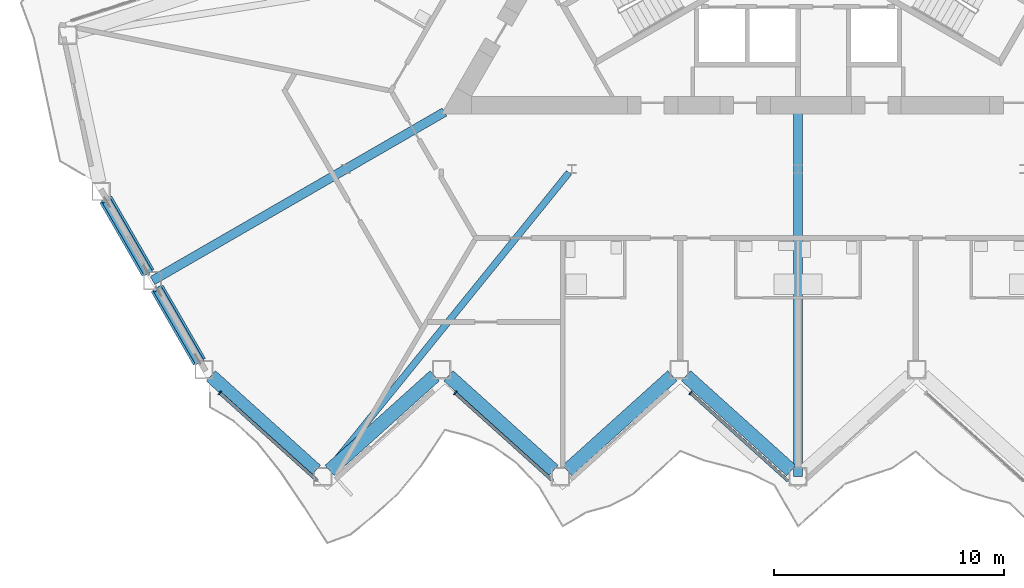
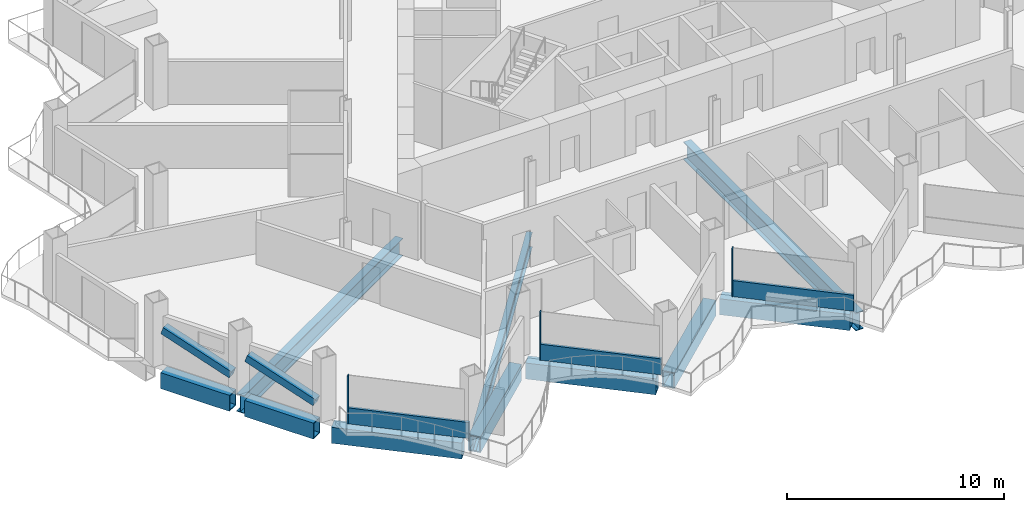
# One storey, part 3 of 23: 10 members, 8 beams, 3 elements without a shape of their own.
"""IFC4 building model written with IfcOpenShell, lengths in metres."""

from ifc_helpers import new_model, si_unit, direction, frame, origin, origin_2d, place, context, subcontext, project, spatial, rectangle, hollow_rectangle, i_section, extrude, material, layer, layer_set, material_profile, profile_set, type_object, element, aggregate, save


model = new_model("IFC4")

# Units and contexts
model_context = context("Model", 3, precision=1e-05, world=origin(), true_north=direction((0.0, 1.0)))
body_context = subcontext(model_context, "Body", "Model", "MODEL_VIEW")
ifc_project = project(units=[si_unit("LENGTHUNIT", "METRE"), si_unit("AREAUNIT", "SQUARE_METRE"), si_unit("VOLUMEUNIT", "CUBIC_METRE"), si_unit("PLANEANGLEUNIT", "RADIAN"), si_unit("MASSUNIT", "GRAM", prefix="KILO")], contexts=[model_context])

# Site, building, storey
site_placement = place(None, origin())
site = spatial("IfcSite", under=ifc_project, at=site_placement, CompositionType="ELEMENT")
building_placement = place(site_placement, origin())
building = spatial("IfcBuilding", under=site, at=building_placement, Name="Cormorant Prow Tower", CompositionType="ELEMENT")
storey_placement = place(building_placement, frame((0.0, 0.0, 169.199951171875)))
storey = spatial("IfcBuildingStorey", under=building, at=storey_placement, Name="L35", CompositionType="ELEMENT", Elevation=169.199951171875)

# Beams
ifc_material_1 = material(Name="Structural steel ASTM A572 Gr 50", Category="steel")
ifc_material_profile_1 = material_profile(ifc_material_1, hollow_rectangle(XDim=0.60009765625, YDim=0.89990234375, WallThickness=0.06005859375, at=origin_2d()), Name="Box 900x600x60")
ifc_profile_set_1 = profile_set([ifc_material_profile_1], Name="Structural steel ASTM A572 Gr 50")
beam_type_1 = type_object("IfcBeamType", Name="Belt truss top chord 900x600x60", PredefinedType="BEAM", material=ifc_profile_set_1)
beam_1_placement = place(storey_placement, frame((-25.5263671875, -20.3388671875, -0.800048828125), z_axis=(0.743155953285, -0.669118247469, 0.0), x_axis=(0.669118247469, 0.743155953285, 0.0)))
element("IfcBeam", 1, at=beam_1_placement, inside=storey, type_object=beam_type_1, Name="Belt truss top chord TC2 S00-S01 L35", PredefinedType="BEAM", context=body_context, shape_type="SweptSolid", body=[
    extrude(hollow_rectangle(XDim=0.60009765625, YDim=0.89990234375, WallThickness=0.06005859375, at=origin_2d()), origin(), (0.0, 0.0, 1.0), 6.14990234375),
])
for number, where, z_axis, x_axis, name in (
    (2, (-20.361572265625, -24.453857421875, -0.800048828125), (0.743138178716, 0.669137988261, 0.0), (-0.669137988261, 0.743138178716, 0.0), "Belt truss top chord TC2 S01-S02 L35"),
    (3, (-15.19677734375, -20.3388671875, -0.800048828125), (0.743138178716, -0.669137988261, 0.0), (0.669137988261, 0.743138178716, 0.0), "Belt truss top chord TC2 S02-S03 L35"),
):
    element("IfcBeam", number, at=place(storey_placement, frame(where, z_axis=z_axis, x_axis=x_axis)), inside=storey, type_object=beam_type_1, Name=name, PredefinedType="BEAM", context=body_context, shape_type="SweptSolid", body=[
        extrude(hollow_rectangle(XDim=0.60009765625, YDim=0.89990234375, WallThickness=0.06005859375, at=origin_2d()), origin(), (0.0, 0.0, 1.0), 6.149658203125),
    ])
beam_2_placement = place(storey_placement, frame((-10.0322265625, -24.453857421875, -0.800048828125), z_axis=(0.743155953285, 0.669118247469, 0.0), x_axis=(-0.669118247469, 0.743155953285, 0.0)))
element("IfcBeam", 4, at=beam_2_placement, inside=storey, type_object=beam_type_1, Name="Belt truss top chord TC2 S03-S04 L35", PredefinedType="BEAM", context=body_context, shape_type="SweptSolid", body=[
    extrude(hollow_rectangle(XDim=0.60009765625, YDim=0.89990234375, WallThickness=0.06005859375, at=origin_2d()), origin(), (0.0, 0.0, 1.0), 6.14990234375),
])
beam_3_placement = place(storey_placement, frame((-4.867431640625, -20.3388671875, -0.800048828125), z_axis=(0.743138178716, -0.669137988261, 0.0), x_axis=(0.669137988261, 0.743138178716, 0.0)))
element("IfcBeam", 5, at=beam_3_placement, inside=storey, type_object=beam_type_1, Name="Belt truss top chord TC2 S04-S05 L35", PredefinedType="BEAM", context=body_context, shape_type="SweptSolid", body=[
    extrude(hollow_rectangle(XDim=0.60009765625, YDim=0.89990234375, WallThickness=0.06005859375, at=origin_2d()), origin(), (0.0, 0.0, 1.0), 6.149658203125),
])
for number, where, z_axis, x_axis, name in (
    (6, (-30.093994140625, -12.674560546875, -0.800048828125), (0.499994986164, -0.866028298505, 0.0), (0.866028298505, 0.499994986164, 0.0), "Belt truss top chord TC2 WSW00-WSW01 L35"),
    (7, (-27.85888671875, -16.546142578125, -0.800048828125), (0.499994986164, -0.866028298505, 0.0), (0.866028298505, 0.499994986164, 0.0), "Belt truss top chord TC2 WSW01-S00 L35"),
):
    element("IfcBeam", number, at=place(storey_placement, frame(where, z_axis=z_axis, x_axis=x_axis)), inside=storey, type_object=beam_type_1, Name=name, PredefinedType="BEAM", context=body_context, shape_type="SweptSolid", body=[
        extrude(hollow_rectangle(XDim=0.60009765625, YDim=0.89990234375, WallThickness=0.06005859375, at=origin_2d()), origin(), (0.0, 0.0, 1.0), 3.67041015625),
    ])

# Members
ifc_material_2 = material(Name="Structural steel ASTM A500 Gr C", Category="steel")
ifc_material_profile_2 = material_profile(ifc_material_2, hollow_rectangle(XDim=0.406494140625, YDim=0.406494140625, WallThickness=0.01171875, at=origin_2d()), Name="HSS16x16x1/2")
ifc_profile_set_2 = profile_set([ifc_material_profile_2], Name="Structural steel ASTM A500 Gr C")
member_type_1 = type_object("IfcMemberType", Name="Chamfer brace HSS16x16x1/2", PredefinedType="BRACE", material=ifc_profile_set_2)
member_1_placement = place(storey_placement, frame((-28.267333984375, -15.838623046875, 0.739990234375), z_axis=(-0.473983276796, 0.820989698857, 0.31830137871), x_axis=(-0.866032413668, -0.499987858329, 0.0)))
element("IfcMember", 8, at=member_1_placement, inside=storey, type_object=member_type_1, Name="Chamfer brace BR2 at WSW00 L35", PredefinedType="BRACE", context=body_context, shape_type="SweptSolid", body=[
    extrude(hollow_rectangle(XDim=0.406494140625, YDim=0.406494140625, WallThickness=0.01171875, at=origin_2d()), origin(), (0.0, 0.0, 1.0), 3.8359375),
])
member_2_placement = place(storey_placement, frame((-26.0322265625, -19.7099609375, 0.739990234375), z_axis=(-0.47400804529, 0.820968949664, 0.318318011883), x_axis=(-0.866015628144, -0.500016931523, 0.0)))
element("IfcMember", 9, at=member_2_placement, inside=storey, type_object=member_type_1, Name="Chamfer brace BR2 at WSW01 L35", PredefinedType="BRACE", context=body_context, shape_type="SweptSolid", body=[
    extrude(hollow_rectangle(XDim=0.406494140625, YDim=0.406494140625, WallThickness=0.01171875, at=origin_2d()), origin(), (0.0, 0.0, 1.0), 3.835693359375),
])

# Curtain wall, member
ifc_material_3 = material(Name="Aluminium 6063-T6", Category="aluminium")
ifc_layer = layer(ifc_material_3, 0.179931640625)
ifc_layer_set = layer_set([ifc_layer], Name="Aluminium 6063-T6")
curtain_wall_type = type_object("IfcCurtainWallType", Name="Hotel unitised curtain wall 180", PredefinedType="NOTDEFINED", material=ifc_layer_set)
curtain_wall_1_placement = place(storey_placement, origin())
curtain_wall_1 = element("IfcCurtainWall", 10, at=curtain_wall_1_placement, inside=storey, type_object=curtain_wall_type, Name="Hotel curtain wall S00", PredefinedType="NOTDEFINED")
ifc_material_4 = material(Name="Aluminium 6063-T6", Category="aluminium")
ifc_material_profile_3 = material_profile(ifc_material_4, rectangle(XDim=0.179931640625, YDim=0.06005859375, at=origin_2d()), Name="Hotel mullion 60x180")
ifc_profile_set_3 = profile_set([ifc_material_profile_3], Name="Aluminium 6063-T6")
member_type_2 = type_object("IfcMemberType", Name="Hotel mullion 60x180", PredefinedType="MULLION", material=ifc_profile_set_3)
member_3_placement = place(storey_placement, frame((-25.134033203125, -21.08447265625, 0.0), z_axis=(0.0, 0.0, 1.0), x_axis=(0.669130488316, 0.743144931764, 0.0)))
member_3 = element("IfcMember", 11, at=member_3_placement, type_object=member_type_2, Name="Hotel mullion S00", PredefinedType="MULLION", context=body_context, shape_type="SweptSolid", body=[
    extrude(rectangle(XDim=0.179931640625, YDim=0.06005859375, at=origin_2d()), origin(), (0.0, 0.0, 1.0), 2.700927734375),
])

curtain_wall_2_placement = place(storey_placement, origin())
curtain_wall_2 = element("IfcCurtainWall", 12, at=curtain_wall_2_placement, inside=storey, type_object=curtain_wall_type, Name="Hotel curtain wall S02", PredefinedType="NOTDEFINED")
member_4_placement = place(storey_placement, frame((-14.90283203125, -21.08447265625, 0.0), z_axis=(0.0, 0.0, 1.0), x_axis=(0.669130560548, 0.743144866726, 0.0)))
member_4 = element("IfcMember", 13, at=member_4_placement, type_object=member_type_2, Name="Hotel mullion S02", PredefinedType="MULLION", context=body_context, shape_type="SweptSolid", body=[
    extrude(rectangle(XDim=0.179931640625, YDim=0.06005859375, at=origin_2d()), origin(), (0.0, 0.0, 1.0), 2.700927734375),
])

curtain_wall_3_placement = place(storey_placement, origin())
curtain_wall_3 = element("IfcCurtainWall", 14, at=curtain_wall_3_placement, inside=storey, type_object=curtain_wall_type, Name="Hotel curtain wall S04", PredefinedType="NOTDEFINED")
member_5_placement = place(storey_placement, frame((-4.67138671875, -21.08447265625, 0.0), z_axis=(0.0, 0.0, 1.0), x_axis=(0.669130560548, 0.743144866726, 0.0)))
member_5 = element("IfcMember", 15, at=member_5_placement, type_object=member_type_2, Name="Hotel mullion S04", PredefinedType="MULLION", context=body_context, shape_type="SweptSolid", body=[
    extrude(rectangle(XDim=0.179931640625, YDim=0.06005859375, at=origin_2d()), origin(), (0.0, 0.0, 1.0), 2.700927734375),
])

# Member
ifc_material_5 = material(Name="Terracotta", Category="masonry")
ifc_material_profile_4 = material_profile(ifc_material_5, rectangle(XDim=0.139892578125, YDim=0.89990234375, at=origin_2d()), Name="Hotel terracotta spandrel rail 140x900")
ifc_profile_set_4 = profile_set([ifc_material_profile_4], Name="Terracotta")
member_type_3 = type_object("IfcMemberType", Name="Hotel terracotta spandrel rail 140x900", PredefinedType="USERDEFINED", material=ifc_profile_set_4)
member_6_placement = place(storey_placement, frame((-25.11181640625, -21.1044921875, 0.449951171875), z_axis=(0.743138320107, -0.669137831234, 0.0), x_axis=(0.669137831234, 0.743138320107, 0.0)))
member_6 = element("IfcMember", 16, at=member_6_placement, type_object=member_type_3, Name="Hotel spandrel rail S00", ObjectType="TRANSOM", PredefinedType="USERDEFINED", context=body_context, shape_type="SweptSolid", body=[
    extrude(rectangle(XDim=0.139892578125, YDim=0.89990234375, at=origin_2d()), origin(), (0.0, 0.0, 1.0), 5.687744140625),
])

aggregate(curtain_wall_1, [member_3, member_6])

member_7_placement = place(storey_placement, frame((-14.88037109375, -21.1044921875, 0.449951171875), z_axis=(0.743138320107, -0.669137831234, 0.0), x_axis=(0.669137831234, 0.743138320107, 0.0)))
member_7 = element("IfcMember", 17, at=member_7_placement, type_object=member_type_3, Name="Hotel spandrel rail S02", ObjectType="TRANSOM", PredefinedType="USERDEFINED", context=body_context, shape_type="SweptSolid", body=[
    extrude(rectangle(XDim=0.139892578125, YDim=0.89990234375, at=origin_2d()), origin(), (0.0, 0.0, 1.0), 5.687744140625),
])

aggregate(curtain_wall_2, [member_4, member_7])

member_8_placement = place(storey_placement, frame((-4.64892578125, -21.1044921875, 0.449951171875), z_axis=(0.743138320107, -0.669137831234, 0.0), x_axis=(0.669137831234, 0.743138320107, 0.0)))
member_8 = element("IfcMember", 18, at=member_8_placement, type_object=member_type_3, Name="Hotel spandrel rail S04", ObjectType="TRANSOM", PredefinedType="USERDEFINED", context=body_context, shape_type="SweptSolid", body=[
    extrude(rectangle(XDim=0.139892578125, YDim=0.89990234375, at=origin_2d()), origin(), (0.0, 0.0, 1.0), 5.687744140625),
])

aggregate(curtain_wall_3, [member_5, member_8])

# Members
ifc_material_6 = material(Name="Structural steel ASTM A992 Gr 50", Category="steel")
ifc_material_profile_5 = material_profile(ifc_material_6, i_section(OverallWidth=0.39990234375, OverallDepth=1.000244140625, WebThickness=0.01904296875, FlangeThickness=0.0361328125, at=origin_2d()), Name="W40x249")
ifc_profile_set_5 = profile_set([ifc_material_profile_5], Name="Structural steel ASTM A992 Gr 50")
member_type_4 = type_object("IfcMemberType", Name="Outrigger chord W40x249", PredefinedType="CHORD", material=ifc_profile_set_5)
member_9_placement = place(storey_placement, frame((-15.3701171875, -8.873779296875, -0.85009765625), z_axis=(-0.866022701949, -0.500004679687, 0.0), x_axis=(0.500004679687, -0.866022701949, 0.0)))
element("IfcMember", 19, at=member_9_placement, inside=storey, type_object=member_type_4, Name="Outrigger top chord 3 L35", PredefinedType="CHORD", context=body_context, shape_type="SweptSolid", body=[
    extrude(i_section(OverallWidth=0.39990234375, OverallDepth=1.000244140625, WebThickness=0.01904296875, FlangeThickness=0.0361328125, at=origin_2d()), origin(), (0.0, 0.0, 1.0), 14.651611328125),
])
member_10_placement = place(storey_placement, frame((0.0, -8.798828125, -0.85009765625), z_axis=(0.0, -1.0, 0.0), x_axis=(1.0, 0.0, 0.0)))
element("IfcMember", 20, at=member_10_placement, inside=storey, type_object=member_type_4, Name="Outrigger top chord 4 L35", PredefinedType="CHORD", context=body_context, shape_type="SweptSolid", body=[
    extrude(i_section(OverallWidth=0.39990234375, OverallDepth=1.000244140625, WebThickness=0.01904296875, FlangeThickness=0.0361328125, at=origin_2d()), origin(), (0.0, 0.0, 1.0), 15.9228515625),
])

# Beam
ifc_material_7 = material(Name="Structural steel ASTM A992 Gr 50", Category="steel")
ifc_material_profile_6 = material_profile(ifc_material_7, i_section(OverallWidth=0.29296875, OverallDepth=0.845703125, WebThickness=0.015380859375, FlangeThickness=0.0244140625, at=origin_2d()), Name="W33x141")
ifc_profile_set_6 = profile_set([ifc_material_profile_6], Name="Structural steel ASTM A992 Gr 50")
beam_type_2 = type_object("IfcBeamType", Name="Radial floor beam W33x141", PredefinedType="BEAM", material=ifc_profile_set_6)
beam_4_placement = place(storey_placement, frame((-9.95654296875, -11.50732421875, -0.77294921875), z_axis=(-0.629385162657, -0.777093505974, 0.0), x_axis=(0.777093505974, -0.629385162657, 0.0)))
element("IfcBeam", 21, at=beam_4_placement, inside=storey, type_object=beam_type_2, Name="Radial floor beam FB2 6 L35", PredefinedType="BEAM", context=body_context, shape_type="SweptSolid", body=[
    extrude(i_section(OverallWidth=0.29296875, OverallDepth=0.845703125, WebThickness=0.015380859375, FlangeThickness=0.0244140625, at=origin_2d()), origin(), (0.0, 0.0, 1.0), 16.6044921875),
])

save(model, "model.ifc")
